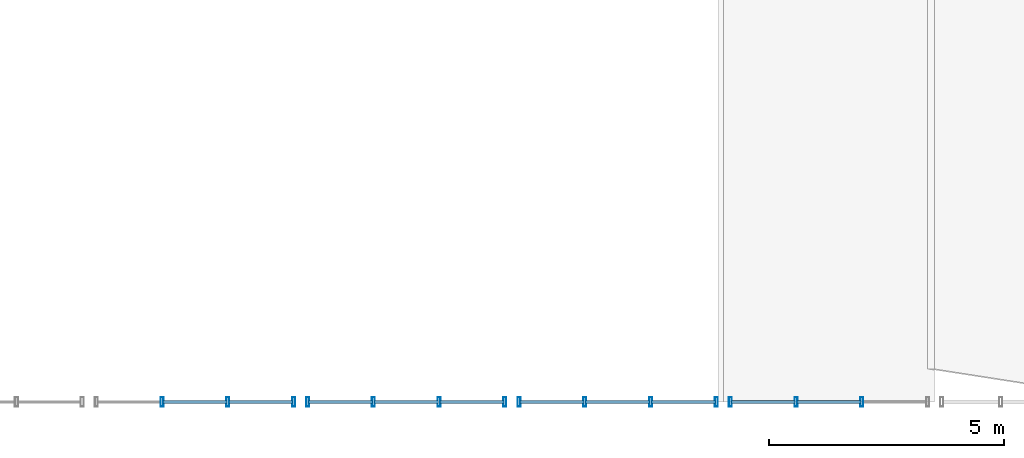
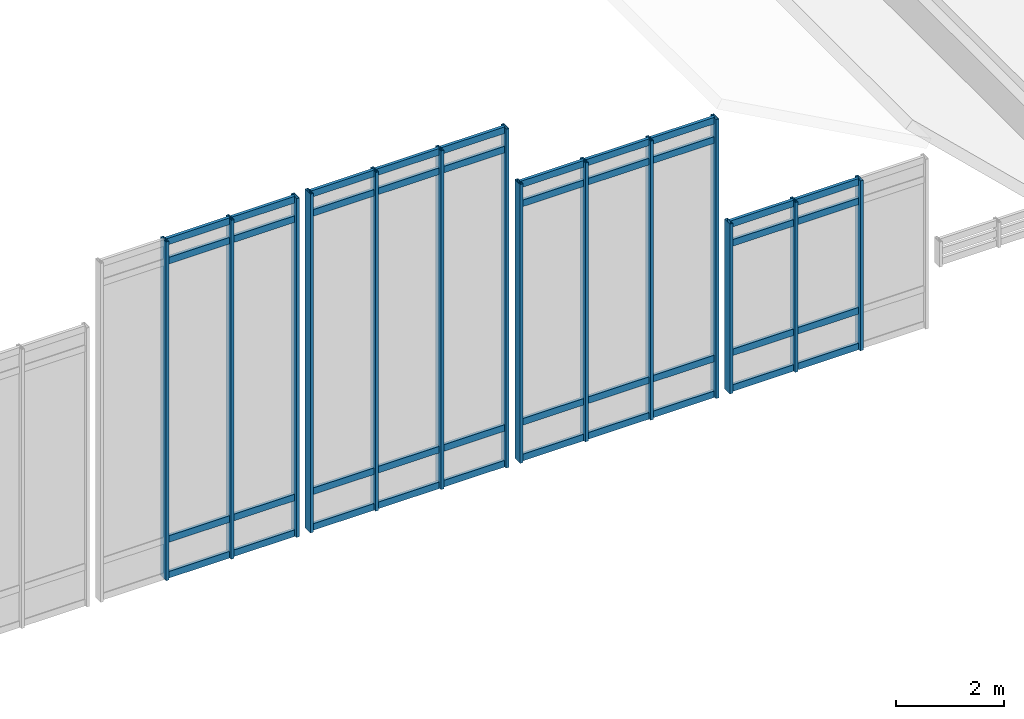
# One storey, part 44 of 82: 54 members, 4 elements without a shape of their own.
"""IFC4 building model written with IfcOpenShell, lengths in metres."""

import ifcopenshell
import ifcopenshell.guid

model = None  # the IFC model being written
_history = None  # IfcOwnerHistory: only IFC2X3 demands one
_inside = {}  # id of a spatial element -> (the spatial element, [elements in it])
_under = {}  # id of a project, library or spatial element -> (it, [spatial elements below it])
_declared = {}  # id of a project -> (the project, [libraries it declares])
_typed = {}  # id of a type object -> (the type object, [elements of that type])
_made_of = {}  # id of a material, layer set ... -> (it, [elements and type objects made of it])


def new_model(schema):
    """Start an empty IFC model of exactly this schema.

    Asked for "IFC4X3", IfcOpenShell would pick the latest addendum, in which some entities
    have other attributes; the version numbers below select the first issue.
    IFC2X3 requires an IfcOwnerHistory on every rooted entity: one is made here for all.
    """
    global model, _history
    if schema == "IFC4X3":
        model = ifcopenshell.file(schema_version=(4, 3, 0, 0))
    else:
        model = ifcopenshell.file(schema=schema)
    _inside.clear()
    _under.clear()
    _declared.clear()
    _typed.clear()
    _made_of.clear()
    _history = None
    if model.schema == "IFC2X3":
        org = make("IfcOrganization", Name="unknown")
        user = make(
            "IfcPersonAndOrganization",
            ThePerson=make("IfcPerson", FamilyName="unknown"),
            TheOrganization=org,
        )
        app = make(
            "IfcApplication",
            ApplicationDeveloper=org,
            Version="unknown",
            ApplicationFullName="unknown",
            ApplicationIdentifier="unknown",
        )
        _history = make(
            "IfcOwnerHistory",
            OwningUser=user,
            OwningApplication=app,
            ChangeAction="ADDED",
            CreationDate=0,
        )
    return model


def make(cls, **values):
    """One entity of the class cls with the attributes given. An attribute that is None is left unset."""
    return model.create_entity(
        cls, **{name: value for name, value in values.items() if value is not None}
    )


def rooted(cls, **values):
    """An entity with a GlobalId (a new one), such as an element, a storey or a relation."""
    return make(cls, GlobalId=ifcopenshell.guid.new(), OwnerHistory=_history, **values)


def si_unit(unit_type, name, prefix=None):
    """IfcSIUnit, for example si_unit("LENGTHUNIT", "METRE", prefix="MILLI")."""
    return make("IfcSIUnit", UnitType=unit_type, Prefix=prefix, Name=name)


def assignment(units):
    """IfcUnitAssignment: the units of a project."""
    return None if units is None else make("IfcUnitAssignment", Units=units)


def point(xyz):
    """IfcCartesianPoint."""
    return None if xyz is None else make("IfcCartesianPoint", Coordinates=xyz)


def direction(xyz):
    """IfcDirection."""
    return None if xyz is None else make("IfcDirection", DirectionRatios=xyz)


def frame(location, z_axis=None, x_axis=None):
    """IfcAxis2Placement3D, a coordinate frame: its origin and axes. An axis left out is left unset."""
    return make(
        "IfcAxis2Placement3D",
        Location=point(location),
        Axis=direction(z_axis),
        RefDirection=direction(x_axis),
    )


def frame_2d(location, x_axis=None):
    """IfcAxis2Placement2D, a coordinate frame in the plane: its origin and x axis."""
    return make(
        "IfcAxis2Placement2D", Location=point(location), RefDirection=direction(x_axis)
    )


def origin():
    """The frame at (0, 0, 0) with its axes left unset."""
    return frame((0.0, 0.0, 0.0))


def origin_2d():
    """The frame at (0, 0) in the plane with its x axis left unset."""
    return frame_2d((0.0, 0.0))


def place(relative_to, where):
    """IfcLocalPlacement: puts the frame where relative to a parent placement (None: the world)."""
    return make(
        "IfcLocalPlacement", PlacementRelTo=relative_to, RelativePlacement=where
    )


def context(
    kind, dimensions, precision=None, world=None, true_north=None, identifier=None
):
    """IfcGeometricRepresentationContext, for example the 3D "Model" context."""
    return make(
        "IfcGeometricRepresentationContext",
        ContextIdentifier=identifier,
        ContextType=kind,
        CoordinateSpaceDimension=dimensions,
        Precision=precision,
        WorldCoordinateSystem=world,
        TrueNorth=true_north,
    )


def subcontext(parent, identifier, kind, view, scale=None):
    """IfcGeometricRepresentationSubContext, for example "Body" below "Model"."""
    return make(
        "IfcGeometricRepresentationSubContext",
        ContextIdentifier=identifier,
        ContextType=kind,
        ParentContext=parent,
        TargetScale=scale,
        TargetView=view,
    )


def project(units=None, contexts=None):
    """IfcProject with its units and contexts."""
    return rooted(
        "IfcProject",
        Name="project",
        RepresentationContexts=contexts,
        UnitsInContext=assignment(units),
    )


def spatial(cls, under=None, at=None, **own):
    """A site, building, storey or space (cls), placed at a placement, below another one or the project."""
    s = rooted(cls, ObjectPlacement=at, **own)
    if under is not None:
        _under.setdefault(under.id(), (under, []))[1].append(s)
    return s


def profile(cls, at=None, kind="AREA", **sizes):
    """A parametric profile (cls). Its sizes go by their IFC names, for example OverallWidth=200.0."""
    return make(cls, ProfileType=kind, Position=at, **sizes)


def hollow_rectangle(**sizes):
    """IfcRectangleHollowProfileDef."""
    return profile("IfcRectangleHollowProfileDef", **sizes)


def extrude(swept, where, along, depth):
    """IfcExtrudedAreaSolid: the profile swept, set in the frame where, extruded along a direction by depth."""
    return make(
        "IfcExtrudedAreaSolid",
        SweptArea=swept,
        Position=where,
        ExtrudedDirection=direction(along),
        Depth=depth,
    )


def shape(context_of_items, identifier, shape_type, items):
    """IfcShapeRepresentation: the items that make up one representation, for example the "Body"."""
    return make(
        "IfcShapeRepresentation",
        ContextOfItems=context_of_items,
        RepresentationIdentifier=identifier,
        RepresentationType=shape_type,
        Items=items,
    )


def material(Name=None, Category=None):
    """IfcMaterial."""
    return make("IfcMaterial", Name=Name, Category=Category)


def layer(
    of_material, thickness, ventilated=None, Name=None, Category=None, Priority=None
):
    """IfcMaterialLayer: one layer of a wall or slab, of a material (None: an air gap)."""
    return make(
        "IfcMaterialLayer",
        Material=of_material,
        LayerThickness=thickness,
        IsVentilated=ventilated,
        Name=Name,
        Category=Category,
        Priority=Priority,
    )


def layer_set(layers, Name=None):
    """IfcMaterialLayerSet."""
    return make("IfcMaterialLayerSet", MaterialLayers=layers, LayerSetName=Name)


def material_profile(
    of_material, cross_section, Name=None, Category=None, Priority=None
):
    """IfcMaterialProfile: a cross section and its material."""
    return make(
        "IfcMaterialProfile",
        Name=Name,
        Material=of_material,
        Profile=cross_section,
        Priority=Priority,
        Category=Category,
    )


def profile_set(profiles, Name=None, composite=None):
    """IfcMaterialProfileSet."""
    return make(
        "IfcMaterialProfileSet",
        Name=Name,
        MaterialProfiles=profiles,
        CompositeProfile=composite,
    )


def made_of(thing, what):
    """Note that an element or type object is made of a material, layer set ...; save() writes the relation."""
    if what is not None:
        _made_of.setdefault(what.id(), (what, []))[1].append(thing)
    return thing


def type_object(cls, material=None, **own):
    """A type object (cls), such as IfcWallType, which elements share."""
    return made_of(rooted(cls, **own), material)


def element(
    cls,
    number,
    at=None,
    inside=None,
    cuts=None,
    type_object=None,
    material=None,
    context=None,
    identifier="Body",
    shape_type=None,
    held_by="IfcProductDefinitionShape",
    body=None,
    shapes=None,
    **own,
):
    """One element of the class cls, such as IfcWall. Its Tag is "e" and its number.

    at: its placement. inside: the storey or other place that contains it. cuts: it is an
    opening in that element (IfcRelVoidsElement). A single representation is given by context,
    identifier, shape_type and body (its items); several are given by shapes. held_by: the class
    of the entity that holds the representations. save() writes the other relations.
    """
    e = rooted(cls, Tag="e%d" % number, ObjectPlacement=at, **own)
    if body is not None:
        shapes = [shape(context, identifier, shape_type, body)]
    if shapes is not None:
        e.Representation = make(held_by, Representations=shapes)
    if inside is not None:
        _inside.setdefault(inside.id(), (inside, []))[1].append(e)
    if cuts is not None:
        rooted(
            "IfcRelVoidsElement", RelatingBuildingElement=cuts, RelatedOpeningElement=e
        )
    if type_object is not None:
        _typed.setdefault(type_object.id(), (type_object, []))[1].append(e)
    return made_of(e, material)


def aggregate(whole, parts):
    """IfcRelAggregates: a whole, such as a stair, and the parts it consists of."""
    return rooted("IfcRelAggregates", RelatingObject=whole, RelatedObjects=parts)


def save(model, path):
    """Write the relations noted so far, then the file.

    IfcRelAggregates (storeys below a building ...), IfcRelContainedInSpatialStructure (elements
    in a storey), IfcRelDefinesByType, IfcRelAssociatesMaterial and IfcRelDeclares: one each for
    every whole, place, type object, material and project.
    """
    for whole, parts in _under.values():
        aggregate(whole, parts)
    for where, things in _inside.values():
        rooted(
            "IfcRelContainedInSpatialStructure",
            RelatedElements=things,
            RelatingStructure=where,
        )
    for kind, things in _typed.values():
        rooted("IfcRelDefinesByType", RelatedObjects=things, RelatingType=kind)
    for what, things in _made_of.values():
        rooted("IfcRelAssociatesMaterial", RelatedObjects=things, RelatingMaterial=what)
    for by, libraries in _declared.values():
        rooted("IfcRelDeclares", RelatingContext=by, RelatedDefinitions=libraries)
    model.write(path)


model = new_model("IFC4")

# Units and contexts
model_context = context("Model", 3, precision=1e-05, world=origin(), true_north=direction((0.0, 1.0)))
body_context = subcontext(model_context, "Body", "Model", "MODEL_VIEW")
ifc_project = project(units=[si_unit("LENGTHUNIT", "METRE"), si_unit("AREAUNIT", "SQUARE_METRE"), si_unit("VOLUMEUNIT", "CUBIC_METRE"), si_unit("PLANEANGLEUNIT", "RADIAN"), si_unit("MASSUNIT", "GRAM", prefix="KILO")], contexts=[model_context])

# Site, building, storey
site_placement = place(None, origin())
site = spatial("IfcSite", under=ifc_project, at=site_placement, CompositionType="ELEMENT")
building_placement = place(site_placement, origin())
building = spatial("IfcBuilding", under=site, at=building_placement, Name="Mersad Railyard Sports Hall", CompositionType="ELEMENT")
storey_placement = place(building_placement, frame((0.0, 0.0, 13.199951171875)))
storey = spatial("IfcBuildingStorey", under=building, at=storey_placement, Name="L03", CompositionType="ELEMENT", Elevation=13.199951171875)

# Curtain wall, members
ifc_material = material(Name="Aluminium 6063-T6", Category="aluminium")
ifc_layer_1 = layer(ifc_material, 0.199951171875)
ifc_layer_set_1 = layer_set([ifc_layer_1], Name="Aluminium 6063-T6")
curtain_wall_type_1 = type_object("IfcCurtainWallType", Name="ARC-CW-CW46", PredefinedType="USERDEFINED", material=ifc_layer_set_1)
curtain_wall_1_placement = place(storey_placement, origin())
curtain_wall_1 = element("IfcCurtainWall", 1, at=curtain_wall_1_placement, inside=storey, type_object=curtain_wall_type_1, Name="Curtain wall CW46-0118", ObjectType="CURTAIN WALL", PredefinedType="USERDEFINED")
ifc_material_profile_1 = material_profile(ifc_material, hollow_rectangle(XDim=0.06494140625, YDim=0.199951171875, WallThickness=0.0048828125, at=origin_2d()), Name="AL MULLION 65x200x5")
ifc_profile_set_1 = profile_set([ifc_material_profile_1], Name="Aluminium 6063-T6")
member_type_1 = type_object("IfcMemberType", Name="ARC-CW-MUL02", PredefinedType="MULLION", material=ifc_profile_set_1)
member_1_placement = place(storey_placement, frame((154.85009765625, 3.5, -1.27001953125), z_axis=(0.0, 0.0, 1.0), x_axis=(1.0, 0.0, 0.0)))
member_1 = element("IfcMember", 2, at=member_1_placement, type_object=member_type_1, Name="CW46 Mullion 1", PredefinedType="MULLION", context=body_context, shape_type="SweptSolid", body=[
    extrude(hollow_rectangle(XDim=0.06494140625, YDim=0.199951171875, WallThickness=0.0048828125, at=origin_2d()), origin(), (0.0, 0.0, 1.0), 7.68505859375),
])
member_2_placement = place(storey_placement, frame((153.449951171875, 3.5, -1.27001953125), z_axis=(0.0, 0.0, 1.0), x_axis=(1.0, 0.0, 0.0)))
member_2 = element("IfcMember", 3, at=member_2_placement, type_object=member_type_1, Name="CW46 Mullion 2", PredefinedType="MULLION", context=body_context, shape_type="SweptSolid", body=[
    extrude(hollow_rectangle(XDim=0.06494140625, YDim=0.199951171875, WallThickness=0.0048828125, at=origin_2d()), origin(), (0.0, 0.0, 1.0), 7.68505859375),
])
member_3_placement = place(storey_placement, frame((152.050048828125, 3.5, -1.27001953125), z_axis=(0.0, 0.0, 1.0), x_axis=(1.0, 0.0, 0.0)))
member_3 = element("IfcMember", 4, at=member_3_placement, type_object=member_type_1, Name="CW46 Mullion 3", PredefinedType="MULLION", context=body_context, shape_type="SweptSolid", body=[
    extrude(hollow_rectangle(XDim=0.06494140625, YDim=0.199951171875, WallThickness=0.0048828125, at=origin_2d()), origin(), (0.0, 0.0, 1.0), 7.68505859375),
])

curtain_wall_2_placement = place(storey_placement, origin())
curtain_wall_2 = element("IfcCurtainWall", 5, at=curtain_wall_2_placement, inside=storey, type_object=curtain_wall_type_1, Name="Curtain wall CW46-0120", ObjectType="CURTAIN WALL", PredefinedType="USERDEFINED")
member_4_placement = place(storey_placement, frame((159.35009765625, 3.5, -1.27001953125), z_axis=(0.0, 0.0, 1.0), x_axis=(1.0, 0.0, 0.0)))
member_4 = element("IfcMember", 6, at=member_4_placement, type_object=member_type_1, Name="CW46 Mullion 1", PredefinedType="MULLION", context=body_context, shape_type="SweptSolid", body=[
    extrude(hollow_rectangle(XDim=0.06494140625, YDim=0.199951171875, WallThickness=0.0048828125, at=origin_2d()), origin(), (0.0, 0.0, 1.0), 7.68505859375),
])
member_5_placement = place(storey_placement, frame((157.949951171875, 3.5, -1.27001953125), z_axis=(0.0, 0.0, 1.0), x_axis=(1.0, 0.0, 0.0)))
member_5 = element("IfcMember", 7, at=member_5_placement, type_object=member_type_1, Name="CW46 Mullion 2", PredefinedType="MULLION", context=body_context, shape_type="SweptSolid", body=[
    extrude(hollow_rectangle(XDim=0.06494140625, YDim=0.199951171875, WallThickness=0.0048828125, at=origin_2d()), origin(), (0.0, 0.0, 1.0), 7.68505859375),
])
member_6_placement = place(storey_placement, frame((156.550048828125, 3.5, -1.27001953125), z_axis=(0.0, 0.0, 1.0), x_axis=(1.0, 0.0, 0.0)))
member_6 = element("IfcMember", 8, at=member_6_placement, type_object=member_type_1, Name="CW46 Mullion 3", PredefinedType="MULLION", context=body_context, shape_type="SweptSolid", body=[
    extrude(hollow_rectangle(XDim=0.06494140625, YDim=0.199951171875, WallThickness=0.0048828125, at=origin_2d()), origin(), (0.0, 0.0, 1.0), 7.68505859375),
])
member_7_placement = place(storey_placement, frame((155.14990234375, 3.5, -1.27001953125), z_axis=(0.0, 0.0, 1.0), x_axis=(1.0, 0.0, 0.0)))
member_7 = element("IfcMember", 9, at=member_7_placement, type_object=member_type_1, Name="CW46 Mullion 4", PredefinedType="MULLION", context=body_context, shape_type="SweptSolid", body=[
    extrude(hollow_rectangle(XDim=0.06494140625, YDim=0.199951171875, WallThickness=0.0048828125, at=origin_2d()), origin(), (0.0, 0.0, 1.0), 7.68505859375),
])

ifc_layer_2 = layer(ifc_material, 0.199951171875)
ifc_layer_set_2 = layer_set([ifc_layer_2], Name="Aluminium 6063-T6")
curtain_wall_type_2 = type_object("IfcCurtainWallType", Name="ARC-CW-CW44", PredefinedType="USERDEFINED", material=ifc_layer_set_2)
curtain_wall_3_placement = place(storey_placement, origin())
curtain_wall_3 = element("IfcCurtainWall", 10, at=curtain_wall_3_placement, inside=storey, type_object=curtain_wall_type_2, Name="Curtain wall CW44-0122", ObjectType="CURTAIN WALL", PredefinedType="USERDEFINED")
member_8_placement = place(storey_placement, frame((163.85009765625, 3.5, -1.27001953125), z_axis=(0.0, 0.0, 1.0), x_axis=(1.0, 0.0, 0.0)))
member_8 = element("IfcMember", 11, at=member_8_placement, type_object=member_type_1, Name="CW44 Mullion 1", PredefinedType="MULLION", context=body_context, shape_type="SweptSolid", body=[
    extrude(hollow_rectangle(XDim=0.06494140625, YDim=0.199951171875, WallThickness=0.0048828125, at=origin_2d()), origin(), (0.0, 0.0, 1.0), 6.3271484375),
])
member_9_placement = place(storey_placement, frame((162.449951171875, 3.5, -1.27001953125), z_axis=(0.0, 0.0, 1.0), x_axis=(1.0, 0.0, 0.0)))
member_9 = element("IfcMember", 12, at=member_9_placement, type_object=member_type_1, Name="CW44 Mullion 2", PredefinedType="MULLION", context=body_context, shape_type="SweptSolid", body=[
    extrude(hollow_rectangle(XDim=0.06494140625, YDim=0.199951171875, WallThickness=0.0048828125, at=origin_2d()), origin(), (0.0, 0.0, 1.0), 6.3271484375),
])
member_10_placement = place(storey_placement, frame((161.050048828125, 3.5, -1.27001953125), z_axis=(0.0, 0.0, 1.0), x_axis=(1.0, 0.0, 0.0)))
member_10 = element("IfcMember", 13, at=member_10_placement, type_object=member_type_1, Name="CW44 Mullion 3", PredefinedType="MULLION", context=body_context, shape_type="SweptSolid", body=[
    extrude(hollow_rectangle(XDim=0.06494140625, YDim=0.199951171875, WallThickness=0.0048828125, at=origin_2d()), origin(), (0.0, 0.0, 1.0), 6.3271484375),
])
member_11_placement = place(storey_placement, frame((159.64990234375, 3.5, -1.27001953125), z_axis=(0.0, 0.0, 1.0), x_axis=(1.0, 0.0, 0.0)))
member_11 = element("IfcMember", 14, at=member_11_placement, type_object=member_type_1, Name="CW44 Mullion 4", PredefinedType="MULLION", context=body_context, shape_type="SweptSolid", body=[
    extrude(hollow_rectangle(XDim=0.06494140625, YDim=0.199951171875, WallThickness=0.0048828125, at=origin_2d()), origin(), (0.0, 0.0, 1.0), 6.3271484375),
])

ifc_layer_3 = layer(ifc_material, 0.199951171875)
ifc_layer_set_3 = layer_set([ifc_layer_3], Name="Aluminium 6063-T6")
curtain_wall_type_3 = type_object("IfcCurtainWallType", Name="ARC-CW-CW42", PredefinedType="USERDEFINED", material=ifc_layer_set_3)
curtain_wall_4_placement = place(storey_placement, origin())
curtain_wall_4 = element("IfcCurtainWall", 15, at=curtain_wall_4_placement, inside=storey, type_object=curtain_wall_type_3, Name="Curtain wall CW42-0124", ObjectType="CURTAIN WALL", PredefinedType="USERDEFINED")
member_12_placement = place(storey_placement, frame((166.949951171875, 3.5, -1.27001953125), z_axis=(0.0, 0.0, 1.0), x_axis=(1.0, 0.0, 0.0)))
member_12 = element("IfcMember", 16, at=member_12_placement, type_object=member_type_1, Name="CW42 Mullion 2", PredefinedType="MULLION", context=body_context, shape_type="SweptSolid", body=[
    extrude(hollow_rectangle(XDim=0.06494140625, YDim=0.199951171875, WallThickness=0.0048828125, at=origin_2d()), origin(), (0.0, 0.0, 1.0), 3.85205078125),
])
member_13_placement = place(storey_placement, frame((165.550048828125, 3.5, -1.27001953125), z_axis=(0.0, 0.0, 1.0), x_axis=(1.0, 0.0, 0.0)))
member_13 = element("IfcMember", 17, at=member_13_placement, type_object=member_type_1, Name="CW42 Mullion 3", PredefinedType="MULLION", context=body_context, shape_type="SweptSolid", body=[
    extrude(hollow_rectangle(XDim=0.06494140625, YDim=0.199951171875, WallThickness=0.0048828125, at=origin_2d()), origin(), (0.0, 0.0, 1.0), 3.85205078125),
])
member_14_placement = place(storey_placement, frame((164.14990234375, 3.5, -1.27001953125), z_axis=(0.0, 0.0, 1.0), x_axis=(1.0, 0.0, 0.0)))
member_14 = element("IfcMember", 18, at=member_14_placement, type_object=member_type_1, Name="CW42 Mullion 4", PredefinedType="MULLION", context=body_context, shape_type="SweptSolid", body=[
    extrude(hollow_rectangle(XDim=0.06494140625, YDim=0.199951171875, WallThickness=0.0048828125, at=origin_2d()), origin(), (0.0, 0.0, 1.0), 3.85205078125),
])

# Member
ifc_material_profile_2 = material_profile(ifc_material, hollow_rectangle(XDim=0.06494140625, YDim=0.14990234375, WallThickness=0.00439453125, at=origin_2d()), Name="AL TRANSOM 65x150x4.5")
ifc_profile_set_2 = profile_set([ifc_material_profile_2], Name="Aluminium 6063-T6")
member_type_2 = type_object("IfcMemberType", Name="ARC-CW-TRN02", PredefinedType="USERDEFINED", material=ifc_profile_set_2)
member_15_placement = place(storey_placement, frame((154.830078125, 3.5, -1.2099609375), z_axis=(-1.0, 0.0, 0.0), x_axis=(0.0, -1.0, 0.0)))
member_15 = element("IfcMember", 19, at=member_15_placement, type_object=member_type_2, Name="CW46 Transom 1-1", ObjectType="TRANSOM", PredefinedType="USERDEFINED", context=body_context, shape_type="SweptSolid", body=[
    extrude(hollow_rectangle(XDim=0.06494140625, YDim=0.14990234375, WallThickness=0.00439453125, at=origin_2d()), origin(), (0.0, 0.0, 1.0), 1.360107421875),
])

member_16_placement = place(storey_placement, frame((153.429931640625, 3.5, -1.2099609375), z_axis=(-1.0, 0.0, 0.0), x_axis=(0.0, -1.0, 0.0)))
member_16 = element("IfcMember", 20, at=member_16_placement, type_object=member_type_2, Name="CW46 Transom 1-2", ObjectType="TRANSOM", PredefinedType="USERDEFINED", context=body_context, shape_type="SweptSolid", body=[
    extrude(hollow_rectangle(XDim=0.06494140625, YDim=0.14990234375, WallThickness=0.00439453125, at=origin_2d()), origin(), (0.0, 0.0, 1.0), 1.35986328125),
])

member_17_placement = place(storey_placement, frame((154.830078125, 3.5, -0.39990234375), z_axis=(-1.0, 0.0, 0.0), x_axis=(0.0, -1.0, 0.0)))
member_17 = element("IfcMember", 21, at=member_17_placement, type_object=member_type_2, Name="CW46 Transom 2-1", ObjectType="TRANSOM", PredefinedType="USERDEFINED", context=body_context, shape_type="SweptSolid", body=[
    extrude(hollow_rectangle(XDim=0.06494140625, YDim=0.14990234375, WallThickness=0.00439453125, at=origin_2d()), origin(), (0.0, 0.0, 1.0), 1.360107421875),
])

member_18_placement = place(storey_placement, frame((153.429931640625, 3.5, -0.39990234375), z_axis=(-1.0, 0.0, 0.0), x_axis=(0.0, -1.0, 0.0)))
member_18 = element("IfcMember", 22, at=member_18_placement, type_object=member_type_2, Name="CW46 Transom 2-2", ObjectType="TRANSOM", PredefinedType="USERDEFINED", context=body_context, shape_type="SweptSolid", body=[
    extrude(hollow_rectangle(XDim=0.06494140625, YDim=0.14990234375, WallThickness=0.00439453125, at=origin_2d()), origin(), (0.0, 0.0, 1.0), 1.35986328125),
])

member_19_placement = place(storey_placement, frame((154.830078125, 3.5, 5.9150390625), z_axis=(-1.0, 0.0, 0.0), x_axis=(0.0, -1.0, 0.0)))
member_19 = element("IfcMember", 23, at=member_19_placement, type_object=member_type_2, Name="CW46 Transom 3-1", ObjectType="TRANSOM", PredefinedType="USERDEFINED", context=body_context, shape_type="SweptSolid", body=[
    extrude(hollow_rectangle(XDim=0.06494140625, YDim=0.14990234375, WallThickness=0.00439453125, at=origin_2d()), origin(), (0.0, 0.0, 1.0), 1.360107421875),
])

member_20_placement = place(storey_placement, frame((153.429931640625, 3.5, 5.9150390625), z_axis=(-1.0, 0.0, 0.0), x_axis=(0.0, -1.0, 0.0)))
member_20 = element("IfcMember", 24, at=member_20_placement, type_object=member_type_2, Name="CW46 Transom 3-2", ObjectType="TRANSOM", PredefinedType="USERDEFINED", context=body_context, shape_type="SweptSolid", body=[
    extrude(hollow_rectangle(XDim=0.06494140625, YDim=0.14990234375, WallThickness=0.00439453125, at=origin_2d()), origin(), (0.0, 0.0, 1.0), 1.35986328125),
])

member_21_placement = place(storey_placement, frame((154.830078125, 3.5, 6.35498046875), z_axis=(-1.0, 0.0, 0.0), x_axis=(0.0, -1.0, 0.0)))
member_21 = element("IfcMember", 25, at=member_21_placement, type_object=member_type_2, Name="CW46 Transom 4-1", ObjectType="TRANSOM", PredefinedType="USERDEFINED", context=body_context, shape_type="SweptSolid", body=[
    extrude(hollow_rectangle(XDim=0.06494140625, YDim=0.14990234375, WallThickness=0.00439453125, at=origin_2d()), origin(), (0.0, 0.0, 1.0), 1.360107421875),
])

member_22_placement = place(storey_placement, frame((153.429931640625, 3.5, 6.35498046875), z_axis=(-1.0, 0.0, 0.0), x_axis=(0.0, -1.0, 0.0)))
member_22 = element("IfcMember", 26, at=member_22_placement, type_object=member_type_2, Name="CW46 Transom 4-2", ObjectType="TRANSOM", PredefinedType="USERDEFINED", context=body_context, shape_type="SweptSolid", body=[
    extrude(hollow_rectangle(XDim=0.06494140625, YDim=0.14990234375, WallThickness=0.00439453125, at=origin_2d()), origin(), (0.0, 0.0, 1.0), 1.35986328125),
])

aggregate(curtain_wall_1, [member_1, member_2, member_3, member_15, member_16, member_17, member_18, member_19, member_20, member_21, member_22])

member_23_placement = place(storey_placement, frame((159.330078125, 3.5, -1.2099609375), z_axis=(-1.0, 0.0, 0.0), x_axis=(0.0, -1.0, 0.0)))
member_23 = element("IfcMember", 27, at=member_23_placement, type_object=member_type_2, Name="CW46 Transom 1-1", ObjectType="TRANSOM", PredefinedType="USERDEFINED", context=body_context, shape_type="SweptSolid", body=[
    extrude(hollow_rectangle(XDim=0.06494140625, YDim=0.14990234375, WallThickness=0.00439453125, at=origin_2d()), origin(), (0.0, 0.0, 1.0), 1.360107421875),
])

member_24_placement = place(storey_placement, frame((157.929931640625, 3.5, -1.2099609375), z_axis=(-1.0, 0.0, 0.0), x_axis=(0.0, -1.0, 0.0)))
member_24 = element("IfcMember", 28, at=member_24_placement, type_object=member_type_2, Name="CW46 Transom 1-2", ObjectType="TRANSOM", PredefinedType="USERDEFINED", context=body_context, shape_type="SweptSolid", body=[
    extrude(hollow_rectangle(XDim=0.06494140625, YDim=0.14990234375, WallThickness=0.00439453125, at=origin_2d()), origin(), (0.0, 0.0, 1.0), 1.35986328125),
])

member_25_placement = place(storey_placement, frame((156.530029296875, 3.5, -1.2099609375), z_axis=(-1.0, 0.0, 0.0), x_axis=(0.0, -1.0, 0.0)))
member_25 = element("IfcMember", 29, at=member_25_placement, type_object=member_type_2, Name="CW46 Transom 1-3", ObjectType="TRANSOM", PredefinedType="USERDEFINED", context=body_context, shape_type="SweptSolid", body=[
    extrude(hollow_rectangle(XDim=0.06494140625, YDim=0.14990234375, WallThickness=0.00439453125, at=origin_2d()), origin(), (0.0, 0.0, 1.0), 1.360107421875),
])

member_26_placement = place(storey_placement, frame((159.330078125, 3.5, -0.39990234375), z_axis=(-1.0, 0.0, 0.0), x_axis=(0.0, -1.0, 0.0)))
member_26 = element("IfcMember", 30, at=member_26_placement, type_object=member_type_2, Name="CW46 Transom 2-1", ObjectType="TRANSOM", PredefinedType="USERDEFINED", context=body_context, shape_type="SweptSolid", body=[
    extrude(hollow_rectangle(XDim=0.06494140625, YDim=0.14990234375, WallThickness=0.00439453125, at=origin_2d()), origin(), (0.0, 0.0, 1.0), 1.360107421875),
])

member_27_placement = place(storey_placement, frame((157.929931640625, 3.5, -0.39990234375), z_axis=(-1.0, 0.0, 0.0), x_axis=(0.0, -1.0, 0.0)))
member_27 = element("IfcMember", 31, at=member_27_placement, type_object=member_type_2, Name="CW46 Transom 2-2", ObjectType="TRANSOM", PredefinedType="USERDEFINED", context=body_context, shape_type="SweptSolid", body=[
    extrude(hollow_rectangle(XDim=0.06494140625, YDim=0.14990234375, WallThickness=0.00439453125, at=origin_2d()), origin(), (0.0, 0.0, 1.0), 1.35986328125),
])

member_28_placement = place(storey_placement, frame((156.530029296875, 3.5, -0.39990234375), z_axis=(-1.0, 0.0, 0.0), x_axis=(0.0, -1.0, 0.0)))
member_28 = element("IfcMember", 32, at=member_28_placement, type_object=member_type_2, Name="CW46 Transom 2-3", ObjectType="TRANSOM", PredefinedType="USERDEFINED", context=body_context, shape_type="SweptSolid", body=[
    extrude(hollow_rectangle(XDim=0.06494140625, YDim=0.14990234375, WallThickness=0.00439453125, at=origin_2d()), origin(), (0.0, 0.0, 1.0), 1.360107421875),
])

member_29_placement = place(storey_placement, frame((159.330078125, 3.5, 5.9150390625), z_axis=(-1.0, 0.0, 0.0), x_axis=(0.0, -1.0, 0.0)))
member_29 = element("IfcMember", 33, at=member_29_placement, type_object=member_type_2, Name="CW46 Transom 3-1", ObjectType="TRANSOM", PredefinedType="USERDEFINED", context=body_context, shape_type="SweptSolid", body=[
    extrude(hollow_rectangle(XDim=0.06494140625, YDim=0.14990234375, WallThickness=0.00439453125, at=origin_2d()), origin(), (0.0, 0.0, 1.0), 1.360107421875),
])

member_30_placement = place(storey_placement, frame((157.929931640625, 3.5, 5.9150390625), z_axis=(-1.0, 0.0, 0.0), x_axis=(0.0, -1.0, 0.0)))
member_30 = element("IfcMember", 34, at=member_30_placement, type_object=member_type_2, Name="CW46 Transom 3-2", ObjectType="TRANSOM", PredefinedType="USERDEFINED", context=body_context, shape_type="SweptSolid", body=[
    extrude(hollow_rectangle(XDim=0.06494140625, YDim=0.14990234375, WallThickness=0.00439453125, at=origin_2d()), origin(), (0.0, 0.0, 1.0), 1.35986328125),
])

member_31_placement = place(storey_placement, frame((156.530029296875, 3.5, 5.9150390625), z_axis=(-1.0, 0.0, 0.0), x_axis=(0.0, -1.0, 0.0)))
member_31 = element("IfcMember", 35, at=member_31_placement, type_object=member_type_2, Name="CW46 Transom 3-3", ObjectType="TRANSOM", PredefinedType="USERDEFINED", context=body_context, shape_type="SweptSolid", body=[
    extrude(hollow_rectangle(XDim=0.06494140625, YDim=0.14990234375, WallThickness=0.00439453125, at=origin_2d()), origin(), (0.0, 0.0, 1.0), 1.360107421875),
])

member_32_placement = place(storey_placement, frame((159.330078125, 3.5, 6.35498046875), z_axis=(-1.0, 0.0, 0.0), x_axis=(0.0, -1.0, 0.0)))
member_32 = element("IfcMember", 36, at=member_32_placement, type_object=member_type_2, Name="CW46 Transom 4-1", ObjectType="TRANSOM", PredefinedType="USERDEFINED", context=body_context, shape_type="SweptSolid", body=[
    extrude(hollow_rectangle(XDim=0.06494140625, YDim=0.14990234375, WallThickness=0.00439453125, at=origin_2d()), origin(), (0.0, 0.0, 1.0), 1.360107421875),
])

member_33_placement = place(storey_placement, frame((157.929931640625, 3.5, 6.35498046875), z_axis=(-1.0, 0.0, 0.0), x_axis=(0.0, -1.0, 0.0)))
member_33 = element("IfcMember", 37, at=member_33_placement, type_object=member_type_2, Name="CW46 Transom 4-2", ObjectType="TRANSOM", PredefinedType="USERDEFINED", context=body_context, shape_type="SweptSolid", body=[
    extrude(hollow_rectangle(XDim=0.06494140625, YDim=0.14990234375, WallThickness=0.00439453125, at=origin_2d()), origin(), (0.0, 0.0, 1.0), 1.35986328125),
])

member_34_placement = place(storey_placement, frame((156.530029296875, 3.5, 6.35498046875), z_axis=(-1.0, 0.0, 0.0), x_axis=(0.0, -1.0, 0.0)))
member_34 = element("IfcMember", 38, at=member_34_placement, type_object=member_type_2, Name="CW46 Transom 4-3", ObjectType="TRANSOM", PredefinedType="USERDEFINED", context=body_context, shape_type="SweptSolid", body=[
    extrude(hollow_rectangle(XDim=0.06494140625, YDim=0.14990234375, WallThickness=0.00439453125, at=origin_2d()), origin(), (0.0, 0.0, 1.0), 1.360107421875),
])

aggregate(curtain_wall_2, [member_4, member_5, member_6, member_7, member_23, member_24, member_25, member_26, member_27, member_28, member_29, member_30, member_31, member_32, member_33, member_34])

member_35_placement = place(storey_placement, frame((163.830078125, 3.5, -1.2099609375), z_axis=(-1.0, 0.0, 0.0), x_axis=(0.0, -1.0, 0.0)))
member_35 = element("IfcMember", 39, at=member_35_placement, type_object=member_type_2, Name="CW44 Transom 1-1", ObjectType="TRANSOM", PredefinedType="USERDEFINED", context=body_context, shape_type="SweptSolid", body=[
    extrude(hollow_rectangle(XDim=0.06494140625, YDim=0.14990234375, WallThickness=0.00439453125, at=origin_2d()), origin(), (0.0, 0.0, 1.0), 1.360107421875),
])

member_36_placement = place(storey_placement, frame((162.429931640625, 3.5, -1.2099609375), z_axis=(-1.0, 0.0, 0.0), x_axis=(0.0, -1.0, 0.0)))
member_36 = element("IfcMember", 40, at=member_36_placement, type_object=member_type_2, Name="CW44 Transom 1-2", ObjectType="TRANSOM", PredefinedType="USERDEFINED", context=body_context, shape_type="SweptSolid", body=[
    extrude(hollow_rectangle(XDim=0.06494140625, YDim=0.14990234375, WallThickness=0.00439453125, at=origin_2d()), origin(), (0.0, 0.0, 1.0), 1.35986328125),
])

member_37_placement = place(storey_placement, frame((161.030029296875, 3.5, -1.2099609375), z_axis=(-1.0, 0.0, 0.0), x_axis=(0.0, -1.0, 0.0)))
member_37 = element("IfcMember", 41, at=member_37_placement, type_object=member_type_2, Name="CW44 Transom 1-3", ObjectType="TRANSOM", PredefinedType="USERDEFINED", context=body_context, shape_type="SweptSolid", body=[
    extrude(hollow_rectangle(XDim=0.06494140625, YDim=0.14990234375, WallThickness=0.00439453125, at=origin_2d()), origin(), (0.0, 0.0, 1.0), 1.360107421875),
])

member_38_placement = place(storey_placement, frame((163.830078125, 3.5, -0.39990234375), z_axis=(-1.0, 0.0, 0.0), x_axis=(0.0, -1.0, 0.0)))
member_38 = element("IfcMember", 42, at=member_38_placement, type_object=member_type_2, Name="CW44 Transom 2-1", ObjectType="TRANSOM", PredefinedType="USERDEFINED", context=body_context, shape_type="SweptSolid", body=[
    extrude(hollow_rectangle(XDim=0.06494140625, YDim=0.14990234375, WallThickness=0.00439453125, at=origin_2d()), origin(), (0.0, 0.0, 1.0), 1.360107421875),
])

member_39_placement = place(storey_placement, frame((162.429931640625, 3.5, -0.39990234375), z_axis=(-1.0, 0.0, 0.0), x_axis=(0.0, -1.0, 0.0)))
member_39 = element("IfcMember", 43, at=member_39_placement, type_object=member_type_2, Name="CW44 Transom 2-2", ObjectType="TRANSOM", PredefinedType="USERDEFINED", context=body_context, shape_type="SweptSolid", body=[
    extrude(hollow_rectangle(XDim=0.06494140625, YDim=0.14990234375, WallThickness=0.00439453125, at=origin_2d()), origin(), (0.0, 0.0, 1.0), 1.35986328125),
])

member_40_placement = place(storey_placement, frame((161.030029296875, 3.5, -0.39990234375), z_axis=(-1.0, 0.0, 0.0), x_axis=(0.0, -1.0, 0.0)))
member_40 = element("IfcMember", 44, at=member_40_placement, type_object=member_type_2, Name="CW44 Transom 2-3", ObjectType="TRANSOM", PredefinedType="USERDEFINED", context=body_context, shape_type="SweptSolid", body=[
    extrude(hollow_rectangle(XDim=0.06494140625, YDim=0.14990234375, WallThickness=0.00439453125, at=origin_2d()), origin(), (0.0, 0.0, 1.0), 1.360107421875),
])

member_41_placement = place(storey_placement, frame((163.830078125, 3.5, 4.55712890625), z_axis=(-1.0, 0.0, 0.0), x_axis=(0.0, -1.0, 0.0)))
member_41 = element("IfcMember", 45, at=member_41_placement, type_object=member_type_2, Name="CW44 Transom 3-1", ObjectType="TRANSOM", PredefinedType="USERDEFINED", context=body_context, shape_type="SweptSolid", body=[
    extrude(hollow_rectangle(XDim=0.06494140625, YDim=0.14990234375, WallThickness=0.00439453125, at=origin_2d()), origin(), (0.0, 0.0, 1.0), 1.360107421875),
])

member_42_placement = place(storey_placement, frame((162.429931640625, 3.5, 4.55712890625), z_axis=(-1.0, 0.0, 0.0), x_axis=(0.0, -1.0, 0.0)))
member_42 = element("IfcMember", 46, at=member_42_placement, type_object=member_type_2, Name="CW44 Transom 3-2", ObjectType="TRANSOM", PredefinedType="USERDEFINED", context=body_context, shape_type="SweptSolid", body=[
    extrude(hollow_rectangle(XDim=0.06494140625, YDim=0.14990234375, WallThickness=0.00439453125, at=origin_2d()), origin(), (0.0, 0.0, 1.0), 1.35986328125),
])

member_43_placement = place(storey_placement, frame((161.030029296875, 3.5, 4.55712890625), z_axis=(-1.0, 0.0, 0.0), x_axis=(0.0, -1.0, 0.0)))
member_43 = element("IfcMember", 47, at=member_43_placement, type_object=member_type_2, Name="CW44 Transom 3-3", ObjectType="TRANSOM", PredefinedType="USERDEFINED", context=body_context, shape_type="SweptSolid", body=[
    extrude(hollow_rectangle(XDim=0.06494140625, YDim=0.14990234375, WallThickness=0.00439453125, at=origin_2d()), origin(), (0.0, 0.0, 1.0), 1.360107421875),
])

member_44_placement = place(storey_placement, frame((163.830078125, 3.5, 4.9970703125), z_axis=(-1.0, 0.0, 0.0), x_axis=(0.0, -1.0, 0.0)))
member_44 = element("IfcMember", 48, at=member_44_placement, type_object=member_type_2, Name="CW44 Transom 4-1", ObjectType="TRANSOM", PredefinedType="USERDEFINED", context=body_context, shape_type="SweptSolid", body=[
    extrude(hollow_rectangle(XDim=0.06494140625, YDim=0.14990234375, WallThickness=0.00439453125, at=origin_2d()), origin(), (0.0, 0.0, 1.0), 1.360107421875),
])

member_45_placement = place(storey_placement, frame((162.429931640625, 3.5, 4.9970703125), z_axis=(-1.0, 0.0, 0.0), x_axis=(0.0, -1.0, 0.0)))
member_45 = element("IfcMember", 49, at=member_45_placement, type_object=member_type_2, Name="CW44 Transom 4-2", ObjectType="TRANSOM", PredefinedType="USERDEFINED", context=body_context, shape_type="SweptSolid", body=[
    extrude(hollow_rectangle(XDim=0.06494140625, YDim=0.14990234375, WallThickness=0.00439453125, at=origin_2d()), origin(), (0.0, 0.0, 1.0), 1.35986328125),
])

member_46_placement = place(storey_placement, frame((161.030029296875, 3.5, 4.9970703125), z_axis=(-1.0, 0.0, 0.0), x_axis=(0.0, -1.0, 0.0)))
member_46 = element("IfcMember", 50, at=member_46_placement, type_object=member_type_2, Name="CW44 Transom 4-3", ObjectType="TRANSOM", PredefinedType="USERDEFINED", context=body_context, shape_type="SweptSolid", body=[
    extrude(hollow_rectangle(XDim=0.06494140625, YDim=0.14990234375, WallThickness=0.00439453125, at=origin_2d()), origin(), (0.0, 0.0, 1.0), 1.360107421875),
])

aggregate(curtain_wall_3, [member_8, member_9, member_10, member_11, member_35, member_36, member_37, member_38, member_39, member_40, member_41, member_42, member_43, member_44, member_45, member_46])

member_47_placement = place(storey_placement, frame((166.929931640625, 3.5, -1.2099609375), z_axis=(-1.0, 0.0, 0.0), x_axis=(0.0, -1.0, 0.0)))
member_47 = element("IfcMember", 51, at=member_47_placement, type_object=member_type_2, Name="CW42 Transom 1-2", ObjectType="TRANSOM", PredefinedType="USERDEFINED", context=body_context, shape_type="SweptSolid", body=[
    extrude(hollow_rectangle(XDim=0.06494140625, YDim=0.14990234375, WallThickness=0.00439453125, at=origin_2d()), origin(), (0.0, 0.0, 1.0), 1.35986328125),
])

member_48_placement = place(storey_placement, frame((165.530029296875, 3.5, -1.2099609375), z_axis=(-1.0, 0.0, 0.0), x_axis=(0.0, -1.0, 0.0)))
member_48 = element("IfcMember", 52, at=member_48_placement, type_object=member_type_2, Name="CW42 Transom 1-3", ObjectType="TRANSOM", PredefinedType="USERDEFINED", context=body_context, shape_type="SweptSolid", body=[
    extrude(hollow_rectangle(XDim=0.06494140625, YDim=0.14990234375, WallThickness=0.00439453125, at=origin_2d()), origin(), (0.0, 0.0, 1.0), 1.360107421875),
])

member_49_placement = place(storey_placement, frame((166.929931640625, 3.5, -0.39990234375), z_axis=(-1.0, 0.0, 0.0), x_axis=(0.0, -1.0, 0.0)))
member_49 = element("IfcMember", 53, at=member_49_placement, type_object=member_type_2, Name="CW42 Transom 2-2", ObjectType="TRANSOM", PredefinedType="USERDEFINED", context=body_context, shape_type="SweptSolid", body=[
    extrude(hollow_rectangle(XDim=0.06494140625, YDim=0.14990234375, WallThickness=0.00439453125, at=origin_2d()), origin(), (0.0, 0.0, 1.0), 1.35986328125),
])

member_50_placement = place(storey_placement, frame((165.530029296875, 3.5, -0.39990234375), z_axis=(-1.0, 0.0, 0.0), x_axis=(0.0, -1.0, 0.0)))
member_50 = element("IfcMember", 54, at=member_50_placement, type_object=member_type_2, Name="CW42 Transom 2-3", ObjectType="TRANSOM", PredefinedType="USERDEFINED", context=body_context, shape_type="SweptSolid", body=[
    extrude(hollow_rectangle(XDim=0.06494140625, YDim=0.14990234375, WallThickness=0.00439453125, at=origin_2d()), origin(), (0.0, 0.0, 1.0), 1.360107421875),
])

member_51_placement = place(storey_placement, frame((166.929931640625, 3.5, 2.08203125), z_axis=(-1.0, 0.0, 0.0), x_axis=(0.0, -1.0, 0.0)))
member_51 = element("IfcMember", 55, at=member_51_placement, type_object=member_type_2, Name="CW42 Transom 3-2", ObjectType="TRANSOM", PredefinedType="USERDEFINED", context=body_context, shape_type="SweptSolid", body=[
    extrude(hollow_rectangle(XDim=0.06494140625, YDim=0.14990234375, WallThickness=0.00439453125, at=origin_2d()), origin(), (0.0, 0.0, 1.0), 1.35986328125),
])

member_52_placement = place(storey_placement, frame((165.530029296875, 3.5, 2.08203125), z_axis=(-1.0, 0.0, 0.0), x_axis=(0.0, -1.0, 0.0)))
member_52 = element("IfcMember", 56, at=member_52_placement, type_object=member_type_2, Name="CW42 Transom 3-3", ObjectType="TRANSOM", PredefinedType="USERDEFINED", context=body_context, shape_type="SweptSolid", body=[
    extrude(hollow_rectangle(XDim=0.06494140625, YDim=0.14990234375, WallThickness=0.00439453125, at=origin_2d()), origin(), (0.0, 0.0, 1.0), 1.360107421875),
])

member_53_placement = place(storey_placement, frame((166.929931640625, 3.5, 2.52197265625), z_axis=(-1.0, 0.0, 0.0), x_axis=(0.0, -1.0, 0.0)))
member_53 = element("IfcMember", 57, at=member_53_placement, type_object=member_type_2, Name="CW42 Transom 4-2", ObjectType="TRANSOM", PredefinedType="USERDEFINED", context=body_context, shape_type="SweptSolid", body=[
    extrude(hollow_rectangle(XDim=0.06494140625, YDim=0.14990234375, WallThickness=0.00439453125, at=origin_2d()), origin(), (0.0, 0.0, 1.0), 1.35986328125),
])

member_54_placement = place(storey_placement, frame((165.530029296875, 3.5, 2.52197265625), z_axis=(-1.0, 0.0, 0.0), x_axis=(0.0, -1.0, 0.0)))
member_54 = element("IfcMember", 58, at=member_54_placement, type_object=member_type_2, Name="CW42 Transom 4-3", ObjectType="TRANSOM", PredefinedType="USERDEFINED", context=body_context, shape_type="SweptSolid", body=[
    extrude(hollow_rectangle(XDim=0.06494140625, YDim=0.14990234375, WallThickness=0.00439453125, at=origin_2d()), origin(), (0.0, 0.0, 1.0), 1.360107421875),
])

aggregate(curtain_wall_4, [member_12, member_13, member_14, member_47, member_48, member_49, member_50, member_51, member_52, member_53, member_54])

save(model, "model.ifc")
